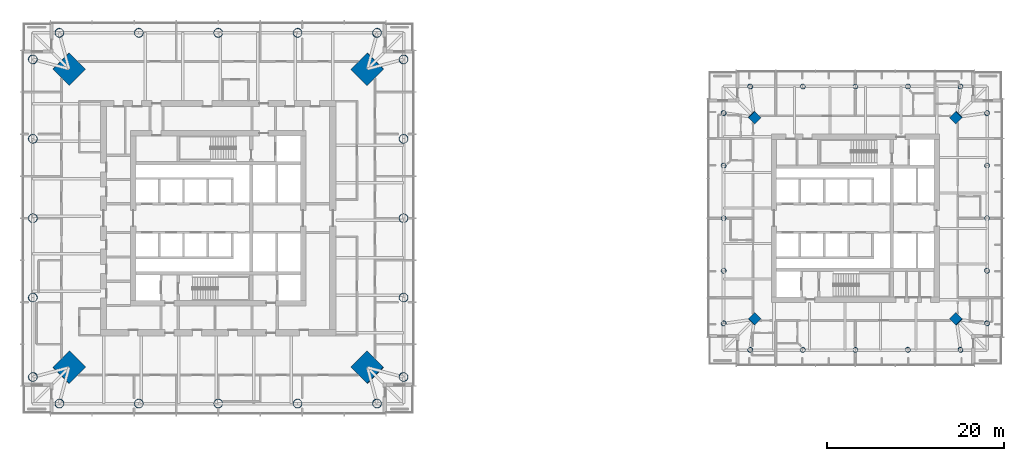
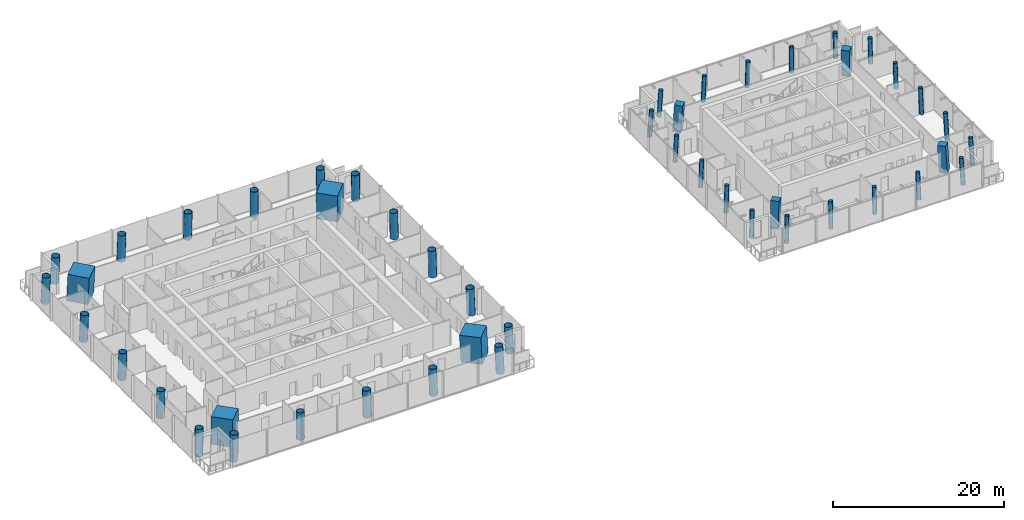
# One storey, part 1 of 19: 48 columns.
"""IFC4 building model written with IfcOpenShell, lengths in metres."""

from ifc_helpers import new_model, si_unit, direction, frame, origin, origin_2d, place, context, subcontext, project, spatial, rectangle, hollow_circle, extrude, material, material_profile, profile_set, type_object, element, save


model = new_model("IFC4")

# Units and contexts
model_context = context("Model", 3, precision=1e-05, world=origin(), true_north=direction((0.0, 1.0)))
body_context = subcontext(model_context, "Body", "Model", "MODEL_VIEW")
ifc_project = project(units=[si_unit("LENGTHUNIT", "METRE"), si_unit("AREAUNIT", "SQUARE_METRE"), si_unit("VOLUMEUNIT", "CUBIC_METRE"), si_unit("PLANEANGLEUNIT", "RADIAN"), si_unit("MASSUNIT", "GRAM", prefix="KILO")], contexts=[model_context])

# Site, building, storey
site_placement = place(None, origin())
site = spatial("IfcSite", under=ifc_project, at=site_placement, CompositionType="ELEMENT")
building_placement = place(site_placement, origin())
building = spatial("IfcBuilding", under=site, at=building_placement, Name="Ostroluk Exchange", CompositionType="ELEMENT")
storey_placement = place(building_placement, frame((0.0, 0.0, 116.0)))
storey = spatial("IfcBuildingStorey", under=building, at=storey_placement, Name="L29", CompositionType="ELEMENT", Elevation=116.0)

# Columns
ifc_material_1 = material(Name="Concrete C50/60", Category="concrete")
ifc_material_profile_1 = material_profile(ifc_material_1, rectangle(XDim=1.0, YDim=1.0, at=origin_2d()), Name="RC 1000x1000")
ifc_profile_set_1 = profile_set([ifc_material_profile_1], Name="Concrete C50/60")
column_type_1 = type_object("IfcColumnType", Name="Mega column RC 1000x1000", PredefinedType="COLUMN", material=ifc_profile_set_1)
for number, where, z_axis, x_axis, name in (
    (1, (128.4052734375, 57.4052734375, 0.0), (-0.043029647111, -0.043029647111, 0.998146732169), (0.707106781187, -0.707106781187, 0.0), "T2 mega column NE"),
    (2, (105.5947265625, 57.4052734375, 0.0), (0.043029647111, -0.043029647111, 0.998146732169), (0.707106781187, 0.707106781187, 0.0), "T2 mega column NW"),
    (3, (105.5947265625, 34.5947265625, 0.0), (0.043029647111, 0.043029647111, 0.998146732169), (-0.707106781187, 0.707106781187, 0.0), "T2 mega column SW"),
    (4, (128.4052734375, 34.5947265625, 0.0), (-0.043029647111, 0.043029647111, 0.998146732169), (-0.707106781187, -0.707106781187, 0.0), "T2 mega column SE"),
):
    element("IfcColumn", number, at=place(storey_placement, frame(where, z_axis=z_axis, x_axis=x_axis)), inside=storey, type_object=column_type_1, Name=name, PredefinedType="COLUMN", context=body_context, shape_type="SweptSolid", body=[
        extrude(rectangle(XDim=1.0, YDim=1.0, at=origin_2d()), origin(), (0.0, 0.0, 1.0), 3.80712890625),
    ])
ifc_material_2 = material(Name="Concrete C50/60", Category="concrete")
ifc_material_profile_2 = material_profile(ifc_material_2, rectangle(XDim=2.60009765625, YDim=2.60009765625, at=origin_2d()), Name="RC 2600x2600")
ifc_profile_set_2 = profile_set([ifc_material_profile_2], Name="Concrete C50/60")
column_type_2 = type_object("IfcColumnType", Name="Mega column RC 2600x2600", PredefinedType="COLUMN", material=ifc_profile_set_2)
for number, where, z_axis, x_axis, name in (
    (5, (61.8642578125, 62.8642578125, 0.0), (-0.031898107953, -0.031898107953, 0.998981992539), (0.707106781187, -0.707106781187, 0.0), "T1 mega column NE"),
    (6, (28.1357421875, 62.8642578125, 0.0), (0.031898107953, -0.031898107953, 0.998981992539), (0.707106781187, 0.707106781187, 0.0), "T1 mega column NW"),
    (7, (28.1357421875, 29.1357421875, 0.0), (0.031898107953, 0.031898107953, 0.998981992539), (-0.707106781187, 0.707106781187, 0.0), "T1 mega column SW"),
    (8, (61.8642578125, 29.1357421875, 0.0), (-0.031898107953, 0.031898107953, 0.998981992539), (-0.707106781187, -0.707106781187, 0.0), "T1 mega column SE"),
):
    element("IfcColumn", number, at=place(storey_placement, frame(where, z_axis=z_axis, x_axis=x_axis)), inside=storey, type_object=column_type_2, Name=name, PredefinedType="COLUMN", context=body_context, shape_type="SweptSolid", body=[
        extrude(rectangle(XDim=2.60009765625, YDim=2.60009765625, at=origin_2d()), origin(), (0.0, 0.0, 1.0), 3.803955078125),
    ])
ifc_material_3 = material(Name="Steel S460", Category="steel")
ifc_material_profile_3 = material_profile(ifc_material_3, hollow_circle(Radius=0.508056640625, WallThickness=0.0400390625, at=origin_2d()), Name="CHS 1016x40")
ifc_profile_set_3 = profile_set([ifc_material_profile_3], Name="Steel S460")
column_type_3 = type_object("IfcColumnType", Name="Perimeter column CHS 1016x40", PredefinedType="COLUMN", material=ifc_profile_set_3)
for number, where, z_axis, x_axis, name in (
    (9, (65.96435546875, 28.03564453125, 0.0), (-0.031962158256, 0.031962158256, 0.998977898093), (-0.707106781187, -0.707106781187, 0.0), "T1 east face column E0"),
    (10, (65.96435546875, 63.96435546875, 0.0), (-0.031962158256, -0.031962158256, 0.998977898093), (0.707106781187, -0.707106781187, 0.0), "T1 east face column E1"),
):
    element("IfcColumn", number, at=place(storey_placement, frame(where, z_axis=z_axis, x_axis=x_axis)), inside=storey, type_object=column_type_3, Name=name, PredefinedType="COLUMN", context=body_context, shape_type="SweptSolid", body=[
        extrude(hollow_circle(Radius=0.508056640625, WallThickness=0.0400390625, at=origin_2d()), origin(), (0.0, 0.0, 1.0), 3.803955078125),
    ])
column_1_placement = place(storey_placement, frame((65.96435546875, 37.017822265625, 0.0), z_axis=(-0.031974409754, 0.015987204877, 0.999360818924), x_axis=(-0.4472135955, -0.894427191, 0.0)))
element("IfcColumn", 11, at=column_1_placement, inside=storey, type_object=column_type_3, Name="T1 east face column I1", PredefinedType="COLUMN", context=body_context, shape_type="SweptSolid", body=[
    extrude(hollow_circle(Radius=0.508056640625, WallThickness=0.0400390625, at=origin_2d()), origin(), (0.0, 0.0, 1.0), 3.802490234375),
])
column_2_placement = place(storey_placement, frame((65.96435546875, 46.0, 0.0), z_axis=(-0.031978496719, 0.0, 0.999488557087), x_axis=(0.0, -1.0, 0.0)))
element("IfcColumn", 12, at=column_2_placement, inside=storey, type_object=column_type_3, Name="T1 east face column I2", PredefinedType="COLUMN", context=body_context, shape_type="SweptSolid", body=[
    extrude(hollow_circle(Radius=0.508056640625, WallThickness=0.0400390625, at=origin_2d()), origin(), (0.0, 0.0, 1.0), 3.802001953125),
])
column_3_placement = place(storey_placement, frame((65.96435546875, 54.982177734375, 0.0), z_axis=(-0.031974409754, -0.015987204877, 0.999360818924), x_axis=(0.4472135955, -0.894427191, 0.0)))
element("IfcColumn", 13, at=column_3_placement, inside=storey, type_object=column_type_3, Name="T1 east face column I3", PredefinedType="COLUMN", context=body_context, shape_type="SweptSolid", body=[
    extrude(hollow_circle(Radius=0.508056640625, WallThickness=0.0400390625, at=origin_2d()), origin(), (0.0, 0.0, 1.0), 3.802490234375),
])
for number, where, z_axis, x_axis, name in (
    (14, (62.96435546875, 66.96435546875, 0.0), (-0.031962158256, -0.031962158256, 0.998977898093), (0.707106781187, -0.707106781187, 0.0), "T1 north face column E0"),
    (15, (27.03564453125, 66.96435546875, 0.0), (0.031962158256, -0.031962158256, 0.998977898093), (0.707106781187, 0.707106781187, 0.0), "T1 north face column E1"),
):
    element("IfcColumn", number, at=place(storey_placement, frame(where, z_axis=z_axis, x_axis=x_axis)), inside=storey, type_object=column_type_3, Name=name, PredefinedType="COLUMN", context=body_context, shape_type="SweptSolid", body=[
        extrude(hollow_circle(Radius=0.508056640625, WallThickness=0.0400390625, at=origin_2d()), origin(), (0.0, 0.0, 1.0), 3.803955078125),
    ])
column_4_placement = place(storey_placement, frame((53.982177734375, 66.96435546875, 0.0), z_axis=(-0.015987204877, -0.031974409754, 0.999360818924), x_axis=(0.894427191, -0.4472135955, 0.0)))
element("IfcColumn", 16, at=column_4_placement, inside=storey, type_object=column_type_3, Name="T1 north face column I1", PredefinedType="COLUMN", context=body_context, shape_type="SweptSolid", body=[
    extrude(hollow_circle(Radius=0.508056640625, WallThickness=0.0400390625, at=origin_2d()), origin(), (0.0, 0.0, 1.0), 3.802490234375),
])
column_5_placement = place(storey_placement, frame((45.0, 66.96435546875, 0.0), z_axis=(0.0, -0.031978496719, 0.999488557087), x_axis=(1.0, 0.0, 0.0)))
element("IfcColumn", 17, at=column_5_placement, inside=storey, type_object=column_type_3, Name="T1 north face column I2", PredefinedType="COLUMN", context=body_context, shape_type="SweptSolid", body=[
    extrude(hollow_circle(Radius=0.508056640625, WallThickness=0.0400390625, at=origin_2d()), origin(), (0.0, 0.0, 1.0), 3.802001953125),
])
column_6_placement = place(storey_placement, frame((36.017822265625, 66.96435546875, 0.0), z_axis=(0.015987204877, -0.031974409754, 0.999360818924), x_axis=(0.894427191, 0.4472135955, 0.0)))
element("IfcColumn", 18, at=column_6_placement, inside=storey, type_object=column_type_3, Name="T1 north face column I3", PredefinedType="COLUMN", context=body_context, shape_type="SweptSolid", body=[
    extrude(hollow_circle(Radius=0.508056640625, WallThickness=0.0400390625, at=origin_2d()), origin(), (0.0, 0.0, 1.0), 3.802490234375),
])
for number, where, z_axis, x_axis, name in (
    (19, (24.03564453125, 63.96435546875, 0.0), (0.031962158256, -0.031962158256, 0.998977898093), (0.707106781187, 0.707106781187, 0.0), "T1 west face column E0"),
    (20, (24.03564453125, 28.03564453125, 0.0), (0.031962158256, 0.031962158256, 0.998977898093), (-0.707106781187, 0.707106781187, 0.0), "T1 west face column E1"),
):
    element("IfcColumn", number, at=place(storey_placement, frame(where, z_axis=z_axis, x_axis=x_axis)), inside=storey, type_object=column_type_3, Name=name, PredefinedType="COLUMN", context=body_context, shape_type="SweptSolid", body=[
        extrude(hollow_circle(Radius=0.508056640625, WallThickness=0.0400390625, at=origin_2d()), origin(), (0.0, 0.0, 1.0), 3.803955078125),
    ])
column_7_placement = place(storey_placement, frame((24.03564453125, 54.982177734375, 0.0), z_axis=(0.031974409754, -0.015987204877, 0.999360818924), x_axis=(0.4472135955, 0.894427191, 0.0)))
element("IfcColumn", 21, at=column_7_placement, inside=storey, type_object=column_type_3, Name="T1 west face column I1", PredefinedType="COLUMN", context=body_context, shape_type="SweptSolid", body=[
    extrude(hollow_circle(Radius=0.508056640625, WallThickness=0.0400390625, at=origin_2d()), origin(), (0.0, 0.0, 1.0), 3.802490234375),
])
column_8_placement = place(storey_placement, frame((24.03564453125, 46.0, 0.0), z_axis=(0.031978496719, 0.0, 0.999488557087), x_axis=(0.0, 1.0, 0.0)))
element("IfcColumn", 22, at=column_8_placement, inside=storey, type_object=column_type_3, Name="T1 west face column I2", PredefinedType="COLUMN", context=body_context, shape_type="SweptSolid", body=[
    extrude(hollow_circle(Radius=0.508056640625, WallThickness=0.0400390625, at=origin_2d()), origin(), (0.0, 0.0, 1.0), 3.802001953125),
])
column_9_placement = place(storey_placement, frame((24.03564453125, 37.017822265625, 0.0), z_axis=(0.031974409754, 0.015987204877, 0.999360818924), x_axis=(-0.4472135955, 0.894427191, 0.0)))
element("IfcColumn", 23, at=column_9_placement, inside=storey, type_object=column_type_3, Name="T1 west face column I3", PredefinedType="COLUMN", context=body_context, shape_type="SweptSolid", body=[
    extrude(hollow_circle(Radius=0.508056640625, WallThickness=0.0400390625, at=origin_2d()), origin(), (0.0, 0.0, 1.0), 3.802490234375),
])
for number, where, z_axis, x_axis, name in (
    (24, (27.03564453125, 25.03564453125, 0.0), (0.031962158256, 0.031962158256, 0.998977898093), (-0.707106781187, 0.707106781187, 0.0), "T1 south face column E0"),
    (25, (62.96435546875, 25.03564453125, 0.0), (-0.031962158256, 0.031962158256, 0.998977898093), (-0.707106781187, -0.707106781187, 0.0), "T1 south face column E1"),
):
    element("IfcColumn", number, at=place(storey_placement, frame(where, z_axis=z_axis, x_axis=x_axis)), inside=storey, type_object=column_type_3, Name=name, PredefinedType="COLUMN", context=body_context, shape_type="SweptSolid", body=[
        extrude(hollow_circle(Radius=0.508056640625, WallThickness=0.0400390625, at=origin_2d()), origin(), (0.0, 0.0, 1.0), 3.803955078125),
    ])
column_10_placement = place(storey_placement, frame((36.017822265625, 25.03564453125, 0.0), z_axis=(0.015987204877, 0.031974409754, 0.999360818924), x_axis=(-0.894427191, 0.4472135955, 0.0)))
element("IfcColumn", 26, at=column_10_placement, inside=storey, type_object=column_type_3, Name="T1 south face column I1", PredefinedType="COLUMN", context=body_context, shape_type="SweptSolid", body=[
    extrude(hollow_circle(Radius=0.508056640625, WallThickness=0.0400390625, at=origin_2d()), origin(), (0.0, 0.0, 1.0), 3.802490234375),
])
column_11_placement = place(storey_placement, frame((45.0, 25.03564453125, 0.0), z_axis=(0.0, 0.031978496719, 0.999488557087), x_axis=(-1.0, 0.0, 0.0)))
element("IfcColumn", 27, at=column_11_placement, inside=storey, type_object=column_type_3, Name="T1 south face column I2", PredefinedType="COLUMN", context=body_context, shape_type="SweptSolid", body=[
    extrude(hollow_circle(Radius=0.508056640625, WallThickness=0.0400390625, at=origin_2d()), origin(), (0.0, 0.0, 1.0), 3.802001953125),
])
column_12_placement = place(storey_placement, frame((53.982177734375, 25.03564453125, 0.0), z_axis=(-0.015987204877, 0.031974409754, 0.999360818924), x_axis=(-0.894427191, -0.4472135955, 0.0)))
element("IfcColumn", 28, at=column_12_placement, inside=storey, type_object=column_type_3, Name="T1 south face column I3", PredefinedType="COLUMN", context=body_context, shape_type="SweptSolid", body=[
    extrude(hollow_circle(Radius=0.508056640625, WallThickness=0.0400390625, at=origin_2d()), origin(), (0.0, 0.0, 1.0), 3.802490234375),
])
ifc_material_4 = material(Name="Steel S460", Category="steel")
ifc_material_profile_4 = material_profile(ifc_material_4, hollow_circle(Radius=0.279541015625, WallThickness=0.02001953125, at=origin_2d()), Name="CHS 559x20")
ifc_profile_set_4 = profile_set([ifc_material_profile_4], Name="Steel S460")
column_type_4 = type_object("IfcColumnType", Name="Perimeter column CHS 559x20", PredefinedType="COLUMN", material=ifc_profile_set_4)
for number, where, z_axis, x_axis, name in (
    (29, (131.9052734375, 34.0947265625, 0.0), (-0.043029647111, 0.043029647111, 0.998146732169), (-0.707106781187, -0.707106781187, 0.0), "T2 east face column E0"),
    (30, (131.9052734375, 57.9052734375, 0.0), (-0.043029647111, -0.043029647111, 0.998146732169), (0.707106781187, -0.707106781187, 0.0), "T2 east face column E1"),
):
    element("IfcColumn", number, at=place(storey_placement, frame(where, z_axis=z_axis, x_axis=x_axis)), inside=storey, type_object=column_type_4, Name=name, PredefinedType="COLUMN", context=body_context, shape_type="SweptSolid", body=[
        extrude(hollow_circle(Radius=0.279541015625, WallThickness=0.02001953125, at=origin_2d()), origin(), (0.0, 0.0, 1.0), 3.80712890625),
    ])
column_13_placement = place(storey_placement, frame((131.9052734375, 40.04736328125, 0.0), z_axis=(-0.043059525333, 0.021561848751, 0.998839808957), x_axis=(-0.44774654769, -0.894160516368, 0.0)))
element("IfcColumn", 31, at=column_13_placement, inside=storey, type_object=column_type_4, Name="T2 east face column I1", PredefinedType="COLUMN", context=body_context, shape_type="SweptSolid", body=[
    extrude(hollow_circle(Radius=0.279541015625, WallThickness=0.02001953125, at=origin_2d()), origin(), (0.0, 0.0, 1.0), 3.804443359375),
])
column_14_placement = place(storey_placement, frame((131.9052734375, 46.0, 0.0), z_axis=(-0.043069538298, 0.0, 0.999072076915), x_axis=(0.0, -1.0, 0.0)))
element("IfcColumn", 32, at=column_14_placement, inside=storey, type_object=column_type_4, Name="T2 east face column I2", PredefinedType="COLUMN", context=body_context, shape_type="SweptSolid", body=[
    extrude(hollow_circle(Radius=0.279541015625, WallThickness=0.02001953125, at=origin_2d()), origin(), (0.0, 0.0, 1.0), 3.803466796875),
])
column_15_placement = place(storey_placement, frame((131.9052734375, 51.95263671875, 0.0), z_axis=(-0.043059525333, -0.021561848751, 0.998839808957), x_axis=(0.44774654769, -0.894160516368, 0.0)))
element("IfcColumn", 33, at=column_15_placement, inside=storey, type_object=column_type_4, Name="T2 east face column I3", PredefinedType="COLUMN", context=body_context, shape_type="SweptSolid", body=[
    extrude(hollow_circle(Radius=0.279541015625, WallThickness=0.02001953125, at=origin_2d()), origin(), (0.0, 0.0, 1.0), 3.804443359375),
])
for number, where, z_axis, x_axis, name in (
    (34, (128.9052734375, 60.9052734375, 0.0), (-0.043029647111, -0.043029647111, 0.998146732169), (0.707106781187, -0.707106781187, 0.0), "T2 north face column E0"),
    (35, (105.0947265625, 60.9052734375, 0.0), (0.043029647111, -0.043029647111, 0.998146732169), (0.707106781187, 0.707106781187, 0.0), "T2 north face column E1"),
):
    element("IfcColumn", number, at=place(storey_placement, frame(where, z_axis=z_axis, x_axis=x_axis)), inside=storey, type_object=column_type_4, Name=name, PredefinedType="COLUMN", context=body_context, shape_type="SweptSolid", body=[
        extrude(hollow_circle(Radius=0.279541015625, WallThickness=0.02001953125, at=origin_2d()), origin(), (0.0, 0.0, 1.0), 3.80712890625),
    ])
column_16_placement = place(storey_placement, frame((122.95263671875, 60.9052734375, 0.0), z_axis=(-0.021561848751, -0.043059525333, 0.998839808957), x_axis=(0.894160516368, -0.44774654769, 0.0)))
element("IfcColumn", 36, at=column_16_placement, inside=storey, type_object=column_type_4, Name="T2 north face column I1", PredefinedType="COLUMN", context=body_context, shape_type="SweptSolid", body=[
    extrude(hollow_circle(Radius=0.279541015625, WallThickness=0.02001953125, at=origin_2d()), origin(), (0.0, 0.0, 1.0), 3.804443359375),
])
column_17_placement = place(storey_placement, frame((117.0, 60.9052734375, 0.0), z_axis=(0.0, -0.043069538298, 0.999072076915), x_axis=(1.0, 0.0, 0.0)))
element("IfcColumn", 37, at=column_17_placement, inside=storey, type_object=column_type_4, Name="T2 north face column I2", PredefinedType="COLUMN", context=body_context, shape_type="SweptSolid", body=[
    extrude(hollow_circle(Radius=0.279541015625, WallThickness=0.02001953125, at=origin_2d()), origin(), (0.0, 0.0, 1.0), 3.803466796875),
])
column_18_placement = place(storey_placement, frame((111.04736328125, 60.9052734375, 0.0), z_axis=(0.021561848751, -0.043059525333, 0.998839808957), x_axis=(0.894160516368, 0.44774654769, 0.0)))
element("IfcColumn", 38, at=column_18_placement, inside=storey, type_object=column_type_4, Name="T2 north face column I3", PredefinedType="COLUMN", context=body_context, shape_type="SweptSolid", body=[
    extrude(hollow_circle(Radius=0.279541015625, WallThickness=0.02001953125, at=origin_2d()), origin(), (0.0, 0.0, 1.0), 3.804443359375),
])
for number, where, z_axis, x_axis, name in (
    (39, (102.0947265625, 57.9052734375, 0.0), (0.043029647111, -0.043029647111, 0.998146732169), (0.707106781187, 0.707106781187, 0.0), "T2 west face column E0"),
    (40, (102.0947265625, 34.0947265625, 0.0), (0.043029647111, 0.043029647111, 0.998146732169), (-0.707106781187, 0.707106781187, 0.0), "T2 west face column E1"),
):
    element("IfcColumn", number, at=place(storey_placement, frame(where, z_axis=z_axis, x_axis=x_axis)), inside=storey, type_object=column_type_4, Name=name, PredefinedType="COLUMN", context=body_context, shape_type="SweptSolid", body=[
        extrude(hollow_circle(Radius=0.279541015625, WallThickness=0.02001953125, at=origin_2d()), origin(), (0.0, 0.0, 1.0), 3.80712890625),
    ])
column_19_placement = place(storey_placement, frame((102.0947265625, 51.95263671875, 0.0), z_axis=(0.043059525333, -0.021561848751, 0.998839808957), x_axis=(0.44774654769, 0.894160516368, 0.0)))
element("IfcColumn", 41, at=column_19_placement, inside=storey, type_object=column_type_4, Name="T2 west face column I1", PredefinedType="COLUMN", context=body_context, shape_type="SweptSolid", body=[
    extrude(hollow_circle(Radius=0.279541015625, WallThickness=0.02001953125, at=origin_2d()), origin(), (0.0, 0.0, 1.0), 3.804443359375),
])
column_20_placement = place(storey_placement, frame((102.0947265625, 46.0, 0.0), z_axis=(0.043069538298, 0.0, 0.999072076915), x_axis=(0.0, 1.0, 0.0)))
element("IfcColumn", 42, at=column_20_placement, inside=storey, type_object=column_type_4, Name="T2 west face column I2", PredefinedType="COLUMN", context=body_context, shape_type="SweptSolid", body=[
    extrude(hollow_circle(Radius=0.279541015625, WallThickness=0.02001953125, at=origin_2d()), origin(), (0.0, 0.0, 1.0), 3.803466796875),
])
column_21_placement = place(storey_placement, frame((102.0947265625, 40.04736328125, 0.0), z_axis=(0.043059525333, 0.021561848751, 0.998839808957), x_axis=(-0.44774654769, 0.894160516368, 0.0)))
element("IfcColumn", 43, at=column_21_placement, inside=storey, type_object=column_type_4, Name="T2 west face column I3", PredefinedType="COLUMN", context=body_context, shape_type="SweptSolid", body=[
    extrude(hollow_circle(Radius=0.279541015625, WallThickness=0.02001953125, at=origin_2d()), origin(), (0.0, 0.0, 1.0), 3.804443359375),
])
for number, where, z_axis, x_axis, name in (
    (44, (105.0947265625, 31.0947265625, 0.0), (0.043029647111, 0.043029647111, 0.998146732169), (-0.707106781187, 0.707106781187, 0.0), "T2 south face column E0"),
    (45, (128.9052734375, 31.0947265625, 0.0), (-0.043029647111, 0.043029647111, 0.998146732169), (-0.707106781187, -0.707106781187, 0.0), "T2 south face column E1"),
):
    element("IfcColumn", number, at=place(storey_placement, frame(where, z_axis=z_axis, x_axis=x_axis)), inside=storey, type_object=column_type_4, Name=name, PredefinedType="COLUMN", context=body_context, shape_type="SweptSolid", body=[
        extrude(hollow_circle(Radius=0.279541015625, WallThickness=0.02001953125, at=origin_2d()), origin(), (0.0, 0.0, 1.0), 3.80712890625),
    ])
column_22_placement = place(storey_placement, frame((111.04736328125, 31.0947265625, 0.0), z_axis=(0.021561848751, 0.043059525333, 0.998839808957), x_axis=(-0.894160516368, 0.44774654769, 0.0)))
element("IfcColumn", 46, at=column_22_placement, inside=storey, type_object=column_type_4, Name="T2 south face column I1", PredefinedType="COLUMN", context=body_context, shape_type="SweptSolid", body=[
    extrude(hollow_circle(Radius=0.279541015625, WallThickness=0.02001953125, at=origin_2d()), origin(), (0.0, 0.0, 1.0), 3.804443359375),
])
column_23_placement = place(storey_placement, frame((117.0, 31.0947265625, 0.0), z_axis=(0.0, 0.043069538298, 0.999072076915), x_axis=(-1.0, 0.0, 0.0)))
element("IfcColumn", 47, at=column_23_placement, inside=storey, type_object=column_type_4, Name="T2 south face column I2", PredefinedType="COLUMN", context=body_context, shape_type="SweptSolid", body=[
    extrude(hollow_circle(Radius=0.279541015625, WallThickness=0.02001953125, at=origin_2d()), origin(), (0.0, 0.0, 1.0), 3.803466796875),
])
column_24_placement = place(storey_placement, frame((122.95263671875, 31.0947265625, 0.0), z_axis=(-0.021561848751, 0.043059525333, 0.998839808957), x_axis=(-0.894160516368, -0.44774654769, 0.0)))
element("IfcColumn", 48, at=column_24_placement, inside=storey, type_object=column_type_4, Name="T2 south face column I3", PredefinedType="COLUMN", context=body_context, shape_type="SweptSolid", body=[
    extrude(hollow_circle(Radius=0.279541015625, WallThickness=0.02001953125, at=origin_2d()), origin(), (0.0, 0.0, 1.0), 3.804443359375),
])

save(model, "model.ifc")
